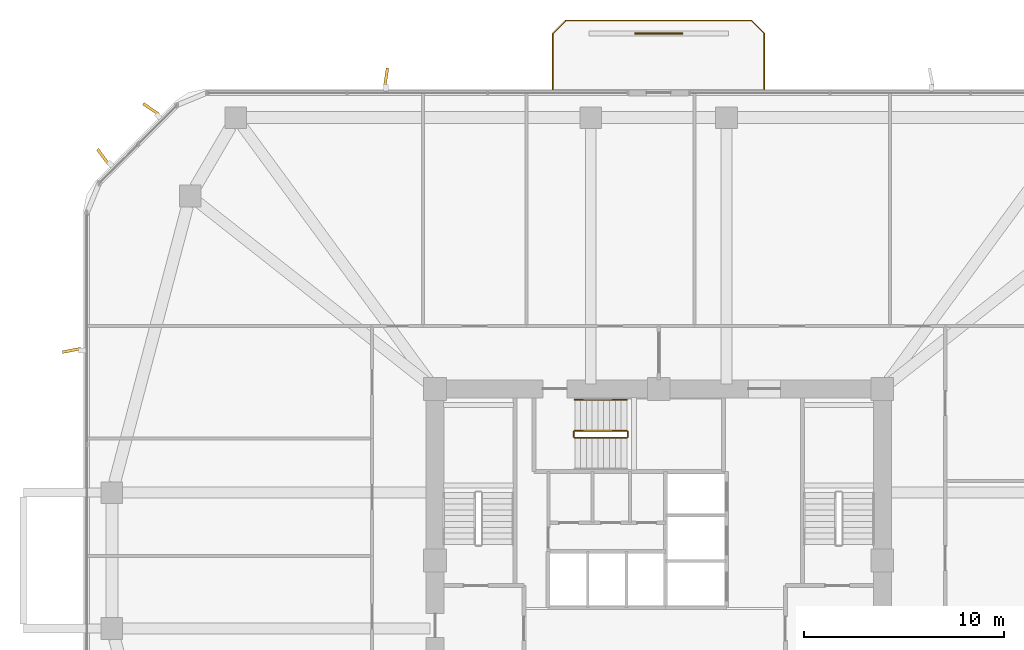
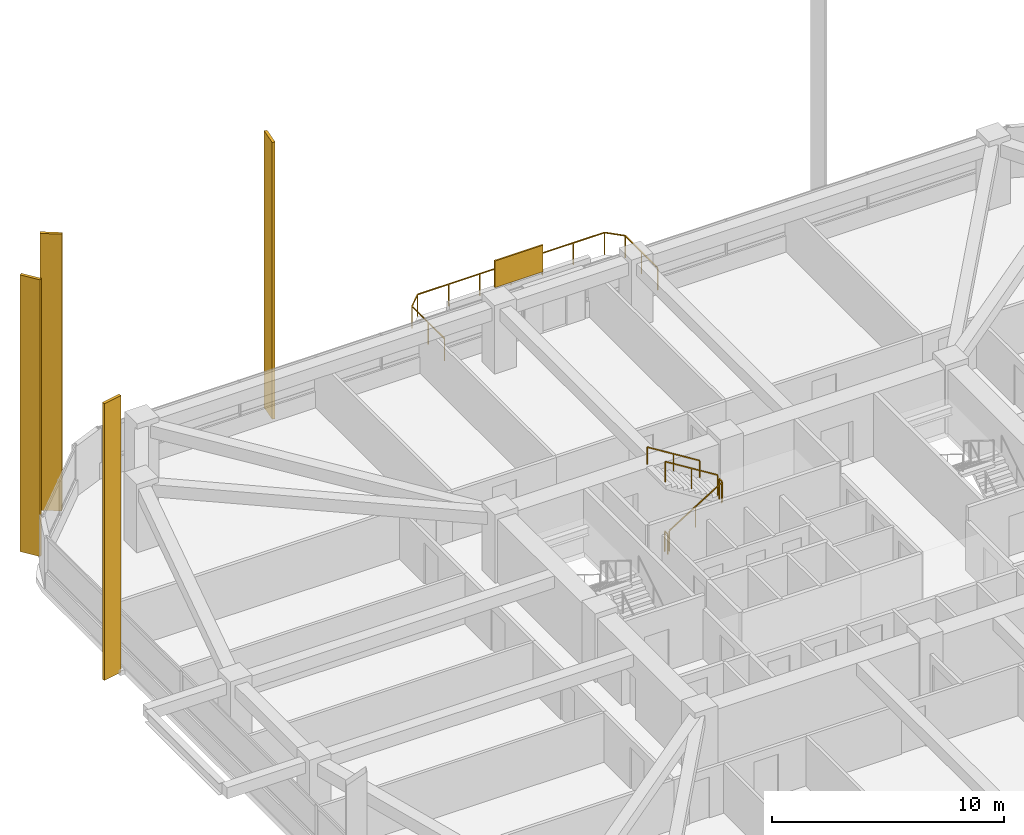
# One storey, part 16 of 17: 6 railings, 5 shading devices.
"""IFC4 building model written with IfcOpenShell, lengths in metres."""

import ifcopenshell
import ifcopenshell.guid

model = None  # the IFC model being written
_history = None  # IfcOwnerHistory: only IFC2X3 demands one
_inside = {}  # id of a spatial element -> (the spatial element, [elements in it])
_under = {}  # id of a project, library or spatial element -> (it, [spatial elements below it])
_declared = {}  # id of a project -> (the project, [libraries it declares])
_typed = {}  # id of a type object -> (the type object, [elements of that type])
_made_of = {}  # id of a material, layer set ... -> (it, [elements and type objects made of it])


def new_model(schema):
    """Start an empty IFC model of exactly this schema.

    Asked for "IFC4X3", IfcOpenShell would pick the latest addendum, in which some entities
    have other attributes; the version numbers below select the first issue.
    IFC2X3 requires an IfcOwnerHistory on every rooted entity: one is made here for all.
    """
    global model, _history
    if schema == "IFC4X3":
        model = ifcopenshell.file(schema_version=(4, 3, 0, 0))
    else:
        model = ifcopenshell.file(schema=schema)
    _inside.clear()
    _under.clear()
    _declared.clear()
    _typed.clear()
    _made_of.clear()
    _history = None
    if model.schema == "IFC2X3":
        org = make("IfcOrganization", Name="unknown")
        user = make(
            "IfcPersonAndOrganization",
            ThePerson=make("IfcPerson", FamilyName="unknown"),
            TheOrganization=org,
        )
        app = make(
            "IfcApplication",
            ApplicationDeveloper=org,
            Version="unknown",
            ApplicationFullName="unknown",
            ApplicationIdentifier="unknown",
        )
        _history = make(
            "IfcOwnerHistory",
            OwningUser=user,
            OwningApplication=app,
            ChangeAction="ADDED",
            CreationDate=0,
        )
    return model


def make(cls, **values):
    """One entity of the class cls with the attributes given. An attribute that is None is left unset."""
    return model.create_entity(
        cls, **{name: value for name, value in values.items() if value is not None}
    )


def rooted(cls, **values):
    """An entity with a GlobalId (a new one), such as an element, a storey or a relation."""
    return make(cls, GlobalId=ifcopenshell.guid.new(), OwnerHistory=_history, **values)


def si_unit(unit_type, name, prefix=None):
    """IfcSIUnit, for example si_unit("LENGTHUNIT", "METRE", prefix="MILLI")."""
    return make("IfcSIUnit", UnitType=unit_type, Prefix=prefix, Name=name)


def derived_unit(unit_type, elements):
    """IfcDerivedUnit: a product of units, each with its exponent."""
    return make(
        "IfcDerivedUnit",
        Elements=[
            make("IfcDerivedUnitElement", Unit=unit, Exponent=power)
            for unit, power in elements
        ],
        UnitType=unit_type,
    )


def assignment(units):
    """IfcUnitAssignment: the units of a project."""
    return None if units is None else make("IfcUnitAssignment", Units=units)


def point(xyz):
    """IfcCartesianPoint."""
    return None if xyz is None else make("IfcCartesianPoint", Coordinates=xyz)


def direction(xyz):
    """IfcDirection."""
    return None if xyz is None else make("IfcDirection", DirectionRatios=xyz)


def frame(location, z_axis=None, x_axis=None):
    """IfcAxis2Placement3D, a coordinate frame: its origin and axes. An axis left out is left unset."""
    return make(
        "IfcAxis2Placement3D",
        Location=point(location),
        Axis=direction(z_axis),
        RefDirection=direction(x_axis),
    )


def frame_2d(location, x_axis=None):
    """IfcAxis2Placement2D, a coordinate frame in the plane: its origin and x axis."""
    return make(
        "IfcAxis2Placement2D", Location=point(location), RefDirection=direction(x_axis)
    )


def origin():
    """The frame at (0, 0, 0) with its axes left unset."""
    return frame((0.0, 0.0, 0.0))


def origin_2d():
    """The frame at (0, 0) in the plane with its x axis left unset."""
    return frame_2d((0.0, 0.0))


def place(relative_to, where):
    """IfcLocalPlacement: puts the frame where relative to a parent placement (None: the world)."""
    return make(
        "IfcLocalPlacement", PlacementRelTo=relative_to, RelativePlacement=where
    )


def context(
    kind, dimensions, precision=None, world=None, true_north=None, identifier=None
):
    """IfcGeometricRepresentationContext, for example the 3D "Model" context."""
    return make(
        "IfcGeometricRepresentationContext",
        ContextIdentifier=identifier,
        ContextType=kind,
        CoordinateSpaceDimension=dimensions,
        Precision=precision,
        WorldCoordinateSystem=world,
        TrueNorth=true_north,
    )


def subcontext(parent, identifier, kind, view, scale=None):
    """IfcGeometricRepresentationSubContext, for example "Body" below "Model"."""
    return make(
        "IfcGeometricRepresentationSubContext",
        ContextIdentifier=identifier,
        ContextType=kind,
        ParentContext=parent,
        TargetScale=scale,
        TargetView=view,
    )


def project(units=None, contexts=None):
    """IfcProject with its units and contexts."""
    return rooted(
        "IfcProject",
        Name="project",
        RepresentationContexts=contexts,
        UnitsInContext=assignment(units),
    )


def spatial(cls, under=None, at=None, **own):
    """A site, building, storey or space (cls), placed at a placement, below another one or the project."""
    s = rooted(cls, ObjectPlacement=at, **own)
    if under is not None:
        _under.setdefault(under.id(), (under, []))[1].append(s)
    return s


def profile(cls, at=None, kind="AREA", **sizes):
    """A parametric profile (cls). Its sizes go by their IFC names, for example OverallWidth=200.0."""
    return make(cls, ProfileType=kind, Position=at, **sizes)


def rectangle(**sizes):
    """IfcRectangleProfileDef."""
    return profile("IfcRectangleProfileDef", **sizes)


def extrude(swept, where, along, depth):
    """IfcExtrudedAreaSolid: the profile swept, set in the frame where, extruded along a direction by depth."""
    return make(
        "IfcExtrudedAreaSolid",
        SweptArea=swept,
        Position=where,
        ExtrudedDirection=direction(along),
        Depth=depth,
    )


def shape(context_of_items, identifier, shape_type, items):
    """IfcShapeRepresentation: the items that make up one representation, for example the "Body"."""
    return make(
        "IfcShapeRepresentation",
        ContextOfItems=context_of_items,
        RepresentationIdentifier=identifier,
        RepresentationType=shape_type,
        Items=items,
    )


def material(Name=None, Category=None):
    """IfcMaterial."""
    return make("IfcMaterial", Name=Name, Category=Category)


def layer(
    of_material, thickness, ventilated=None, Name=None, Category=None, Priority=None
):
    """IfcMaterialLayer: one layer of a wall or slab, of a material (None: an air gap)."""
    return make(
        "IfcMaterialLayer",
        Material=of_material,
        LayerThickness=thickness,
        IsVentilated=ventilated,
        Name=Name,
        Category=Category,
        Priority=Priority,
    )


def layer_set(layers, Name=None):
    """IfcMaterialLayerSet."""
    return make("IfcMaterialLayerSet", MaterialLayers=layers, LayerSetName=Name)


def made_of(thing, what):
    """Note that an element or type object is made of a material, layer set ...; save() writes the relation."""
    if what is not None:
        _made_of.setdefault(what.id(), (what, []))[1].append(thing)
    return thing


def type_object(cls, material=None, **own):
    """A type object (cls), such as IfcWallType, which elements share."""
    return made_of(rooted(cls, **own), material)


def element(
    cls,
    number,
    at=None,
    inside=None,
    cuts=None,
    type_object=None,
    material=None,
    context=None,
    identifier="Body",
    shape_type=None,
    held_by="IfcProductDefinitionShape",
    body=None,
    shapes=None,
    **own,
):
    """One element of the class cls, such as IfcWall. Its Tag is "e" and its number.

    at: its placement. inside: the storey or other place that contains it. cuts: it is an
    opening in that element (IfcRelVoidsElement). A single representation is given by context,
    identifier, shape_type and body (its items); several are given by shapes. held_by: the class
    of the entity that holds the representations. save() writes the other relations.
    """
    e = rooted(cls, Tag="e%d" % number, ObjectPlacement=at, **own)
    if body is not None:
        shapes = [shape(context, identifier, shape_type, body)]
    if shapes is not None:
        e.Representation = make(held_by, Representations=shapes)
    if inside is not None:
        _inside.setdefault(inside.id(), (inside, []))[1].append(e)
    if cuts is not None:
        rooted(
            "IfcRelVoidsElement", RelatingBuildingElement=cuts, RelatedOpeningElement=e
        )
    if type_object is not None:
        _typed.setdefault(type_object.id(), (type_object, []))[1].append(e)
    return made_of(e, material)


def aggregate(whole, parts):
    """IfcRelAggregates: a whole, such as a stair, and the parts it consists of."""
    return rooted("IfcRelAggregates", RelatingObject=whole, RelatedObjects=parts)


def save(model, path):
    """Write the relations noted so far, then the file.

    IfcRelAggregates (storeys below a building ...), IfcRelContainedInSpatialStructure (elements
    in a storey), IfcRelDefinesByType, IfcRelAssociatesMaterial and IfcRelDeclares: one each for
    every whole, place, type object, material and project.
    """
    for whole, parts in _under.values():
        aggregate(whole, parts)
    for where, things in _inside.values():
        rooted(
            "IfcRelContainedInSpatialStructure",
            RelatedElements=things,
            RelatingStructure=where,
        )
    for kind, things in _typed.values():
        rooted("IfcRelDefinesByType", RelatedObjects=things, RelatingType=kind)
    for what, things in _made_of.values():
        rooted("IfcRelAssociatesMaterial", RelatedObjects=things, RelatingMaterial=what)
    for by, libraries in _declared.values():
        rooted("IfcRelDeclares", RelatingContext=by, RelatedDefinitions=libraries)
    model.write(path)


model = new_model("IFC4")

# Units and contexts
model_context = context("Model", 3, precision=1e-05, world=origin(), true_north=direction((0.0, 1.0)))
body_context = subcontext(model_context, "Body", "Model", "MODEL_VIEW")
ifc_project = project(units=[si_unit("LENGTHUNIT", "METRE"), si_unit("AREAUNIT", "SQUARE_METRE"), si_unit("VOLUMEUNIT", "CUBIC_METRE"), si_unit("PLANEANGLEUNIT", "RADIAN"), si_unit("MASSUNIT", "GRAM", prefix="KILO"), derived_unit("THERMALTRANSMITTANCEUNIT", [(si_unit("POWERUNIT", "WATT"), 1), (si_unit("LENGTHUNIT", "METRE"), -2), (si_unit("THERMODYNAMICTEMPERATUREUNIT", "KELVIN"), -1)])], contexts=[model_context])

# Site, building, storey
site_placement = place(None, origin())
site = spatial("IfcSite", under=ifc_project, at=site_placement, CompositionType="ELEMENT")
building_placement = place(site_placement, origin())
building = spatial("IfcBuilding", under=site, at=building_placement, Name="Koralith Skygarden Medical Center", CompositionType="ELEMENT")
storey_placement = place(building_placement, frame((0.0, 0.0, 52.739990234375)))
storey = spatial("IfcBuildingStorey", under=building, at=storey_placement, Name="L13", CompositionType="ELEMENT", Elevation=52.739990234375)

# Shading devices
ifc_material_1 = material(Name="Aluminium 6063-T6", Category="aluminium")
shading_device_type_1 = type_object("IfcShadingDeviceType", Name="Limestone-Clad Solar Storm Fin 950", PredefinedType="USERDEFINED", material=ifc_material_1)
for number, where, z_axis, x_axis, name in (
    (1, (23.35009765625, 50.094970703125, -0.2001953125), (0.0, 0.0, 1.0), (0.14855161751, 0.988904655129, 0.0), "L13 N Harmonic Solar Storm Fin 2"),
    (2, (11.577880859375, 48.52001953125, -0.2001953125), (0.0, 0.0, 1.0), (-0.829856500918, 0.557976870385, 0.0), "L13 NW Harmonic Solar Storm Fin 1"),
    (3, (9.179931640625, 46.1220703125, -0.2001953125), (0.0, 0.0, 1.0), (-0.594219331491, 0.804303043686, 0.0), "L13 NW Harmonic Solar Storm Fin 2"),
    (4, (7.60498046875, 36.429931640625, -0.2001953125), (0.0, 0.0, 1.0), (-0.981346388005, -0.192247930416, 0.0), "L13 W Harmonic Solar Storm Fin 1"),
):
    element("IfcShadingDevice", number, at=place(storey_placement, frame(where, z_axis=z_axis, x_axis=x_axis)), inside=storey, type_object=shading_device_type_1, Name=name, ObjectType="SOLAR FIN", PredefinedType="USERDEFINED", context=body_context, shape_type="SweptSolid", body=[
        extrude(rectangle(XDim=0.949951171875, YDim=0.139892578125, at=origin_2d()), origin(), (0.0, 0.0, 1.0), 14.550048828125),
    ])

# Railing
ifc_material_2 = material(Name="Steel ASTM A500 Grade C", Category="steel")
railing_type_1 = type_object("IfcRailingType", Name="Outdoor Terrace & Balcony Safety Guardrail 1180", PredefinedType="GUARDRAIL", material=ifc_material_2)
railing_1_placement = place(storey_placement, frame((42.300048828125, 49.5, 0.0)))
element("IfcRailing", 5, at=railing_1_placement, inside=storey, type_object=railing_type_1, Name="L13 N Balcony Perimeter Guardrail", PredefinedType="GUARDRAIL", context=body_context, shape_type="SweptSolid", body=[
    extrude(rectangle(XDim=0.050048828125, YDim=0.050048828125, at=origin_2d()), frame((0.0, 0.001953125, 1.15478515625), z_axis=(0.0, 1.0, 0.0), x_axis=(-1.0, 0.0, 0.0)), (0.0, 0.0, 1.0), 2.796142578125),
    extrude(rectangle(XDim=0.050048828125, YDim=0.050048828125, at=origin_2d()), frame((-0.00146484375, 2.801513671875, 1.15478515625), z_axis=(-0.707239558722, 0.706973978714, 0.0), x_axis=(-0.706973978714, -0.707239558722, 0.0)), (0.0, 0.0, 1.0), 0.915283203125),
    extrude(rectangle(XDim=0.050048828125, YDim=0.050048828125, at=origin_2d()), frame((-0.652099609375, 3.449951171875, 1.15478515625), z_axis=(-1.0, 0.0, 0.0), x_axis=(0.0, -1.0, 0.0)), (0.0, 0.0, 1.0), 9.2958984375),
    extrude(rectangle(XDim=0.050048828125, YDim=0.050048828125, at=origin_2d()), frame((-9.951416015625, 3.448486328125, 1.15478515625), z_axis=(-0.707239558722, -0.706973978714, 0.0), x_axis=(0.706973978714, -0.707239558722, 0.0)), (0.0, 0.0, 1.0), 0.915283203125),
    extrude(rectangle(XDim=0.050048828125, YDim=0.050048828125, at=origin_2d()), frame((-10.60009765625, 2.798095703125, 1.15478515625), z_axis=(0.0, -1.0, 0.0), x_axis=(1.0, 0.0, 0.0)), (0.0, 0.0, 1.0), 2.796142578125),
    extrude(rectangle(XDim=0.0419921875, YDim=0.0419921875, at=origin_2d()), origin(), (0.0, 0.0, 1.0), 1.1279296875),
    extrude(rectangle(XDim=0.0419921875, YDim=0.0419921875, at=origin_2d()), frame((0.0, 1.39990234375, 0.0)), (0.0, 0.0, 1.0), 1.1279296875),
    extrude(rectangle(XDim=0.0419921875, YDim=0.0419921875, at=origin_2d()), frame((0.0, 2.800048828125, 0.0)), (0.0, 0.0, 1.0), 1.1279296875),
    extrude(rectangle(XDim=0.0419921875, YDim=0.0419921875, at=origin_2d()), frame((-0.650146484375, 3.449951171875, 0.0)), (0.0, 0.0, 1.0), 1.1279296875),
    extrude(rectangle(XDim=0.0419921875, YDim=0.0419921875, at=origin_2d()), frame((-2.2001953125, 3.449951171875, 0.0)), (0.0, 0.0, 1.0), 1.1279296875),
    extrude(rectangle(XDim=0.0419921875, YDim=0.0419921875, at=origin_2d()), frame((-3.75, 3.449951171875, 0.0)), (0.0, 0.0, 1.0), 1.1279296875),
    extrude(rectangle(XDim=0.0419921875, YDim=0.0419921875, at=origin_2d()), frame((-5.300048828125, 3.449951171875, 0.0)), (0.0, 0.0, 1.0), 1.1279296875),
    extrude(rectangle(XDim=0.0419921875, YDim=0.0419921875, at=origin_2d()), frame((-6.85009765625, 3.449951171875, 0.0)), (0.0, 0.0, 1.0), 1.1279296875),
    extrude(rectangle(XDim=0.0419921875, YDim=0.0419921875, at=origin_2d()), frame((-8.39990234375, 3.449951171875, 0.0)), (0.0, 0.0, 1.0), 1.1279296875),
    extrude(rectangle(XDim=0.0419921875, YDim=0.0419921875, at=origin_2d()), frame((-9.949951171875, 3.449951171875, 0.0)), (0.0, 0.0, 1.0), 1.1279296875),
    extrude(rectangle(XDim=0.0419921875, YDim=0.0419921875, at=origin_2d()), frame((-10.60009765625, 2.800048828125, 0.0)), (0.0, 0.0, 1.0), 1.1279296875),
    extrude(rectangle(XDim=0.0419921875, YDim=0.0419921875, at=origin_2d()), frame((-10.60009765625, 1.39990234375, 0.0)), (0.0, 0.0, 1.0), 1.1279296875),
    extrude(rectangle(XDim=0.0419921875, YDim=0.0419921875, at=origin_2d()), frame((-10.60009765625, 0.0, 0.0)), (0.0, 0.0, 1.0), 1.1279296875),
])

# Shading device
ifc_layer = layer(ifc_material_1, 0.080078125)
ifc_layer_set = layer_set([ifc_layer], Name="Aluminium 6063-T6")
shading_device_type_2 = type_object("IfcShadingDeviceType", Name="Perforated Biophilic Balcony Trellis Screen", PredefinedType="USERDEFINED", material=ifc_layer_set)
shading_device_placement = place(storey_placement, frame((37.0, 52.300048828125, 0.719970703125), z_axis=(0.0, 0.0, 1.0), x_axis=(1.0, 0.0, 0.0)))
element("IfcShadingDevice", 6, at=shading_device_placement, inside=storey, type_object=shading_device_type_2, Name="L13 N Biophilic Balcony Trellis Screen", ObjectType="HURRICANE SCREEN", PredefinedType="USERDEFINED", context=body_context, shape_type="SweptSolid", body=[
    extrude(rectangle(XDim=2.39990234375, YDim=0.080078125, at=origin_2d()), origin(), (0.0, 0.0, 1.0), 1.39990234375),
])

# Railings
railing_type_2 = type_object("IfcRailingType", Name="Stair Flight Tubular Handrail 920", PredefinedType="HANDRAIL", material=ifc_material_2)
railing_2_placement = place(storey_placement, frame((35.409912109375, 33.949951171875, 1.97998046875)))
element("IfcRailing", 7, at=railing_2_placement, inside=storey, type_object=railing_type_2, Name="L13 ST3 stair handrail 2", PredefinedType="HANDRAIL", context=body_context, shape_type="SweptSolid", body=[
    extrude(rectangle(XDim=0.050048828125, YDim=0.050048828125, at=origin_2d()), frame((-0.001708984375, 0.0, 0.89599609375), z_axis=(-0.849610693518, 0.0, 0.52741034258), x_axis=(0.0, -1.0, 0.0)), (0.0, 0.0, 1.0), 3.06787109375),
    extrude(rectangle(XDim=0.0419921875, YDim=0.0419921875, at=origin_2d()), origin(), (0.0, 0.0, 1.0), 0.867919921875),
    extrude(rectangle(XDim=0.0419921875, YDim=0.0419921875, at=origin_2d()), frame((-1.304931640625, 0.0, 0.81005859375)), (0.0, 0.0, 1.0), 0.867919921875),
    extrude(rectangle(XDim=0.0419921875, YDim=0.0419921875, at=origin_2d()), frame((-2.60986328125, 0.0, 1.6201171875)), (0.0, 0.0, 1.0), 0.867919921875),
])
railing_type_3 = type_object("IfcRailingType", Name="Stair Well Safety Guardrail 1100", PredefinedType="GUARDRAIL", material=ifc_material_2)
railing_3_placement = place(storey_placement, frame((32.800048828125, 32.050048828125, 0.179931640625)))
element("IfcRailing", 8, at=railing_3_placement, inside=storey, type_object=railing_type_3, Name="L13 ST3 stair guard 1", PredefinedType="GUARDRAIL", context=body_context, shape_type="SweptSolid", body=[
    extrude(rectangle(XDim=0.050048828125, YDim=0.050048828125, at=origin_2d()), frame((0.001708984375, 0.0, 1.076171875), z_axis=(0.849610693518, 0.0, 0.52741034258), x_axis=(0.0, 1.0, 0.0)), (0.0, 0.0, 1.0), 3.06787109375),
    extrude(rectangle(XDim=0.0419921875, YDim=0.0419921875, at=origin_2d()), origin(), (0.0, 0.0, 1.0), 1.048095703125),
    extrude(rectangle(XDim=0.0419921875, YDim=0.0419921875, at=origin_2d()), frame((1.304931640625, 0.0, 0.81005859375)), (0.0, 0.0, 1.0), 1.048095703125),
    extrude(rectangle(XDim=0.0419921875, YDim=0.0419921875, at=origin_2d()), frame((2.60986328125, 0.0, 1.6201171875)), (0.0, 0.0, 1.0), 1.048095703125),
])
railing_4_placement = place(storey_placement, frame((35.4599609375, 32.10009765625, 1.800048828125)))
element("IfcRailing", 9, at=railing_4_placement, inside=storey, type_object=railing_type_3, Name="L13 ST3 stair guard 2", PredefinedType="GUARDRAIL", context=body_context, shape_type="SweptSolid", body=[
    extrude(rectangle(XDim=0.050048828125, YDim=0.050048828125, at=origin_2d()), frame((0.0, 0.001953125, 1.0751953125), z_axis=(0.0, 1.0, 0.0), x_axis=(-1.0, 0.0, 0.0)), (0.0, 0.0, 1.0), 0.24609375),
    extrude(rectangle(XDim=0.0419921875, YDim=0.0419921875, at=origin_2d()), origin(), (0.0, 0.0, 1.0), 1.048095703125),
    extrude(rectangle(XDim=0.0419921875, YDim=0.0419921875, at=origin_2d()), frame((0.0, 0.25, 0.0)), (0.0, 0.0, 1.0), 1.048095703125),
])
railing_5_placement = place(storey_placement, frame((35.409912109375, 32.39990234375, 1.97998046875)))
element("IfcRailing", 10, at=railing_5_placement, inside=storey, type_object=railing_type_3, Name="L13 ST3 stair guard 3", PredefinedType="GUARDRAIL", context=body_context, shape_type="SweptSolid", body=[
    extrude(rectangle(XDim=0.050048828125, YDim=0.050048828125, at=origin_2d()), frame((-0.001708984375, 0.0, 1.076171875), z_axis=(-0.849610693518, 0.0, 0.52741034258), x_axis=(0.0, -1.0, 0.0)), (0.0, 0.0, 1.0), 3.06787109375),
    extrude(rectangle(XDim=0.0419921875, YDim=0.0419921875, at=origin_2d()), origin(), (0.0, 0.0, 1.0), 1.048095703125),
    extrude(rectangle(XDim=0.0419921875, YDim=0.0419921875, at=origin_2d()), frame((-1.304931640625, 0.0, 0.81005859375)), (0.0, 0.0, 1.0), 1.048095703125),
    extrude(rectangle(XDim=0.0419921875, YDim=0.0419921875, at=origin_2d()), frame((-2.60986328125, 0.0, 1.6201171875)), (0.0, 0.0, 1.0), 1.048095703125),
])
railing_6_placement = place(storey_placement, frame((32.75, 32.10009765625, 0.0)))
element("IfcRailing", 11, at=railing_6_placement, inside=storey, type_object=railing_type_3, Name="L13 ST3 stair guard 4", PredefinedType="GUARDRAIL", context=body_context, shape_type="SweptSolid", body=[
    extrude(rectangle(XDim=0.050048828125, YDim=0.050048828125, at=origin_2d()), frame((0.0, 0.001953125, 1.0751953125), z_axis=(0.0, 1.0, 0.0), x_axis=(-1.0, 0.0, 0.0)), (0.0, 0.0, 1.0), 0.24609375),
    extrude(rectangle(XDim=0.0419921875, YDim=0.0419921875, at=origin_2d()), origin(), (0.0, 0.0, 1.0), 1.048095703125),
    extrude(rectangle(XDim=0.0419921875, YDim=0.0419921875, at=origin_2d()), frame((0.0, 0.25, 0.0)), (0.0, 0.0, 1.0), 1.048095703125),
])

save(model, "model.ifc")
